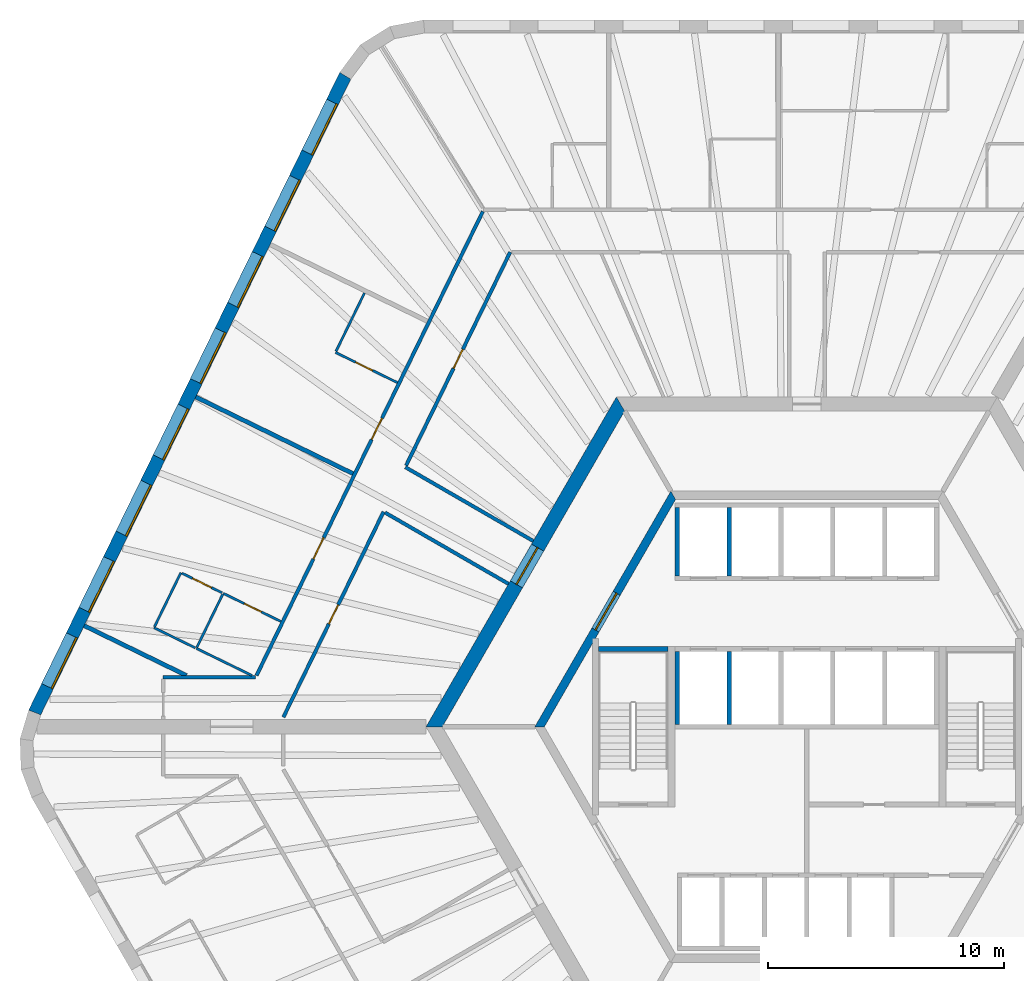
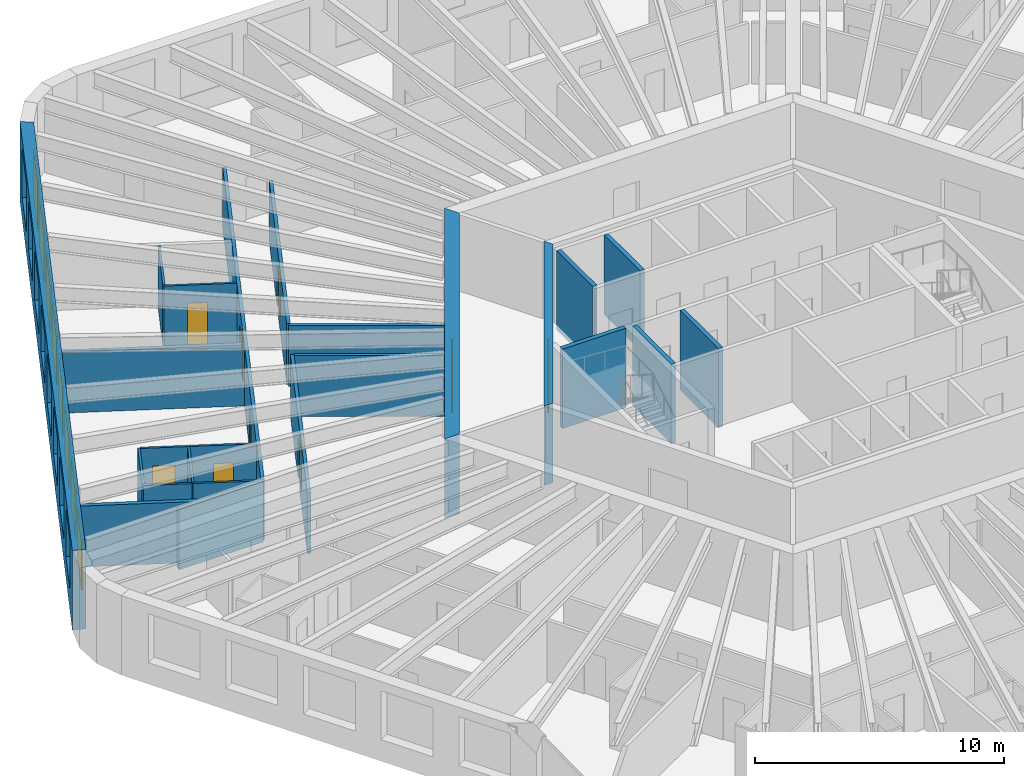
# One storey, part 7 of 12: 24 walls, 9 doors, 8 windows, 17 openings.
"""IFC4 building model written with IfcOpenShell, lengths in metres."""

from ifc_helpers import new_model, si_unit, direction, frame, frame_2d, origin, place, context, subcontext, project, spatial, polyline, rectangle, outline, extrude, material, layer, layer_set, type_object, element, fill, save


model = new_model("IFC4")

# Units and contexts
model_context = context("Model", 3, precision=1e-05, world=origin(), true_north=direction((0.0, 1.0)))
body_context = subcontext(model_context, "Body", "Model", "MODEL_VIEW")
ifc_project = project(units=[si_unit("LENGTHUNIT", "METRE"), si_unit("AREAUNIT", "SQUARE_METRE"), si_unit("VOLUMEUNIT", "CUBIC_METRE"), si_unit("PLANEANGLEUNIT", "RADIAN"), si_unit("MASSUNIT", "GRAM", prefix="KILO")], contexts=[model_context])

# Site, building, storey
site_placement = place(None, origin())
site = spatial("IfcSite", under=ifc_project, at=site_placement, CompositionType="ELEMENT")
building_placement = place(site_placement, origin())
building = spatial("IfcBuilding", under=site, at=building_placement, Name="Tarnside Tower", CompositionType="ELEMENT")
storey_placement = place(building_placement, frame((0.0, 0.0, 131.10009765625)))
storey = spatial("IfcBuildingStorey", under=building, at=storey_placement, Name="L30", CompositionType="ELEMENT", Elevation=131.10009765625)

# Wall, opening, door
ifc_material_1 = material(Name="Gypsum board partition on steel studs", Category="steel")
ifc_layer_1 = layer(ifc_material_1, 0.10009765625)
ifc_layer_set_1 = layer_set([ifc_layer_1], Name="Bathroom wall 100")
wall_type_1 = type_object("IfcWallType", Name="Bathroom wall 100", PredefinedType="PARTITIONING", material=ifc_layer_set_1)
wall_1_placement = place(storey_placement, frame((-17.380126953125, 14.6083984375, 0.0), z_axis=(0.0, 0.0, 1.0), x_axis=(-0.898790906006, 0.438377585285, 0.0)))
wall_1 = element("IfcWall", 1, at=wall_1_placement, inside=storey, type_object=wall_type_1, Name="Bathroom wall 09098", PredefinedType="PARTITIONING", context=body_context, shape_type="SweptSolid", body=[
    extrude(rectangle(XDim=2.925048828125, YDim=0.10009765625, at=frame_2d((1.46240234375, 0.0))), origin(), (0.0, 0.0, 1.0), 2.98779296875),
])
opening_1_placement = place(wall_1_placement, frame((1.175048828125, 0.0, 0.0)))
opening_1 = element("IfcOpeningElement", 2, at=opening_1_placement, cuts=wall_1, Name="Opening D-B1", PredefinedType="OPENING", context=body_context, shape_type="SweptSolid", body=[
    extrude(rectangle(XDim=0.800048828125, YDim=2.10009765625, at=frame_2d((0.39990234375, 1.050048828125))), frame((0.0, 0.06005859375, 0.0), z_axis=(0.0, -1.0, 0.0), x_axis=(1.0, 0.0, 0.0)), (0.0, 0.0, 1.0), 0.1201171875),
])
ifc_material_2 = material(Name="Timber door leaf", Category="wood")
door_type_1 = type_object("IfcDoorType", Name="Bathroom door 800", OperationType="NOTDEFINED", PredefinedType="DOOR", material=ifc_material_2)
door_1_placement = place(opening_1_placement, origin())
door_1 = element("IfcDoor", 3, at=door_1_placement, inside=storey, type_object=door_type_1, Name="Bathroom door 09010", OperationType="SINGLE_SWING_LEFT", OverallHeight=2.10009765625, OverallWidth=0.800048828125, PredefinedType="DOOR", context=body_context, shape_type="SweptSolid", body=[
    extrude(rectangle(XDim=0.800048828125, YDim=2.10009765625, at=frame_2d((0.39990234375, 1.050048828125))), frame((0.0, 0.02490234375, 0.0), z_axis=(0.0, -1.0, 0.0), x_axis=(1.0, 0.0, 0.0)), (0.0, 0.0, 1.0), 0.050048828125),
])
fill(opening_1, door_1)

# Walls
wall_2_placement = place(storey_placement, frame((-19.987060546875, 15.935546875, 0.0), z_axis=(0.0, 0.0, 1.0), x_axis=(0.438381805748, 0.898788847499, 0.0)))
element("IfcWall", 4, at=wall_2_placement, inside=storey, type_object=wall_type_1, Name="Bathroom wall 09099", PredefinedType="PARTITIONING", context=body_context, shape_type="SweptSolid", body=[
    extrude(rectangle(XDim=2.760009765625, YDim=0.10009765625, at=frame_2d((1.3798828125, 0.0))), origin(), (0.0, 0.0, 1.0), 2.98779296875),
])
wall_3_placement = place(storey_placement, frame((-23.551025390625, 2.175048828125, 0.0), z_axis=(0.0, 0.0, 1.0), x_axis=(-0.898821988063, 0.438313853049, 0.0)))
element("IfcWall", 5, at=wall_3_placement, inside=storey, type_object=wall_type_1, Name="Bathroom wall 09101", PredefinedType="PARTITIONING", context=body_context, shape_type="SweptSolid", body=[
    extrude(rectangle(XDim=2.629150390625, YDim=0.10009765625, at=frame_2d((1.314453125, 0.0))), origin(), (0.0, 0.0, 1.0), 2.98779296875),
])

# Wall, opening, door
wall_4_placement = place(storey_placement, frame((-24.774169921875, 5.664306640625, 0.0), z_axis=(0.0, 0.0, 1.0), x_axis=(0.898791692788, -0.43837597217, 0.0)))
wall_4 = element("IfcWall", 6, at=wall_4_placement, inside=storey, type_object=wall_type_1, Name="Bathroom wall 09102", PredefinedType="PARTITIONING", context=body_context, shape_type="SweptSolid", body=[
    extrude(rectangle(XDim=2.72509765625, YDim=0.10009765625, at=frame_2d((1.362548828125, 0.0))), origin(), (0.0, 0.0, 1.0), 2.98779296875),
])
opening_2_placement = place(wall_4_placement, frame((1.0, 0.0, 0.0)))
opening_2 = element("IfcOpeningElement", 7, at=opening_2_placement, cuts=wall_4, Name="Opening D-B1", PredefinedType="OPENING", context=body_context, shape_type="SweptSolid", body=[
    extrude(rectangle(XDim=0.800048828125, YDim=2.10009765625, at=frame_2d((0.39990234375, 1.050048828125))), frame((0.0, 0.06005859375, 0.0), z_axis=(0.0, -1.0, 0.0), x_axis=(1.0, 0.0, 0.0)), (0.0, 0.0, 1.0), 0.1201171875),
])
door_2_placement = place(opening_2_placement, origin())
door_2 = element("IfcDoor", 8, at=door_2_placement, inside=storey, type_object=door_type_1, Name="Bathroom door 09012", OperationType="SINGLE_SWING_LEFT", OverallHeight=2.10009765625, OverallWidth=0.800048828125, PredefinedType="DOOR", context=body_context, shape_type="SweptSolid", body=[
    extrude(rectangle(XDim=0.800048828125, YDim=2.10009765625, at=frame_2d((0.39990234375, 1.050048828125))), frame((0.0, 0.02490234375, 0.0), z_axis=(0.0, -1.0, 0.0), x_axis=(1.0, 0.0, 0.0)), (0.0, 0.0, 1.0), 0.050048828125),
])
fill(opening_2, door_2)

# Wall
wall_5_placement = place(storey_placement, frame((-24.796142578125, 5.619384765625, 0.0), z_axis=(0.0, 0.0, 1.0), x_axis=(-0.438363988158, -0.898797537761, 0.0)))
element("IfcWall", 9, at=wall_5_placement, inside=storey, type_object=wall_type_1, Name="Bathroom wall 09107", PredefinedType="PARTITIONING", context=body_context, shape_type="SweptSolid", body=[
    extrude(rectangle(XDim=2.5, YDim=0.10009765625, at=frame_2d((1.25, 0.0))), origin(), (0.0, 0.0, 1.0), 2.98779296875),
])

# Wall, opening, door
ifc_material_3 = material(Name="Concrete C50/60", Category="concrete")
ifc_layer_2 = layer(ifc_material_3, 0.35009765625)
ifc_layer_set_2 = layer_set([ifc_layer_2], Name="Core block wall 350 C50/60")
wall_type_2 = type_object("IfcWallType", Name="Core block wall 350 C50/60", PredefinedType="SHEAR", material=ifc_layer_set_2)
wall_6_placement = place(storey_placement, frame((-5.672607421875, 9.824951171875, -0.150146484375), z_axis=(0.0, 0.0, 1.0), x_axis=(-0.499995046907, -0.866028263435, 0.0)))
wall_6 = element("IfcWall", 10, at=wall_6_placement, inside=storey, type_object=wall_type_2, Name="L30 core block wall face 2", PredefinedType="SHEAR", context=body_context, shape_type="SweptSolid", body=[
    extrude(outline(polyline([(-0.10107421875, -0.175048828125), (11.44580078125, -0.175048828125), (11.24365234375, 0.175048828125), (0.10107421875, 0.175048828125), (-0.10107421875, -0.175048828125)])), origin(), (0.0, 0.0, 1.0), 3.900146484375),
])
opening_3_placement = place(wall_6_placement, frame((4.80126953125, 0.0, 0.14990234375)))
opening_3 = element("IfcOpeningElement", 11, at=opening_3_placement, cuts=wall_6, Name="Opening CD-LOB", PredefinedType="OPENING", context=body_context, shape_type="SweptSolid", body=[
    extrude(rectangle(XDim=1.800048828125, YDim=2.39990234375, at=frame_2d((0.89990234375, 1.199951171875))), frame((0.0, 0.18505859375, 0.0), z_axis=(0.0, -1.0, 0.0), x_axis=(1.0, 0.0, 0.0)), (0.0, 0.0, 1.0), 0.3701171875),
])
ifc_material_4 = material(Name="Steel fire door", Category="steel")
door_type_2 = type_object("IfcDoorType", Name="Lobby double door FD30S 1800x2400", OperationType="NOTDEFINED", PredefinedType="DOOR", material=ifc_material_4)
door_3_placement = place(opening_3_placement, origin())
door_3 = element("IfcDoor", 12, at=door_3_placement, inside=storey, type_object=door_type_2, Name="L30 lobby block door P1", OperationType="DOUBLE_DOOR_SINGLE_SWING", OverallHeight=2.39990234375, OverallWidth=1.800048828125, PredefinedType="DOOR", context=body_context, shape_type="SweptSolid", body=[
    extrude(rectangle(XDim=1.800048828125, YDim=2.39990234375, at=frame_2d((0.89990234375, 1.199951171875))), frame((0.0, 0.02490234375, 0.0), z_axis=(0.0, -1.0, 0.0), x_axis=(1.0, 0.0, 0.0)), (0.0, 0.0, 1.0), 0.050048828125),
])
fill(opening_3, door_3)

ifc_material_5 = material(Name="Concrete C80/95", Category="concrete")
ifc_layer_3 = layer(ifc_material_5, 0.60009765625)
ifc_layer_set_3 = layer_set([ifc_layer_3], Name="Core wall Z1 600 C80/95")
wall_type_3 = type_object("IfcWallType", Name="Core wall Z1 600 C80/95", PredefinedType="SHEAR", material=ifc_layer_set_3)
wall_7_placement = place(storey_placement, frame((-7.90966796875, 13.699951171875, -0.150146484375), z_axis=(0.0, 0.0, 1.0), x_axis=(-0.499999880136, -0.866025472988, 0.0)))
wall_7 = element("IfcWall", 13, at=wall_7_placement, inside=storey, type_object=wall_type_3, Name="L30 core wall face 2", PredefinedType="SHEAR", context=body_context, shape_type="SweptSolid", body=[
    extrude(outline(polyline([(-0.17333984375, -0.300048828125), (15.99267578125, -0.300048828125), (15.64599609375, 0.300048828125), (0.17333984375, 0.300048828125), (-0.17333984375, -0.300048828125)])), origin(), (0.0, 0.0, 1.0), 3.900146484375),
])
opening_4_placement = place(wall_7_placement, frame((7.03857421875, 0.0, 0.14990234375)))
opening_4 = element("IfcOpeningElement", 14, at=opening_4_placement, cuts=wall_7, Name="Opening CD-LOB", PredefinedType="OPENING", context=body_context, shape_type="SweptSolid", body=[
    extrude(rectangle(XDim=1.800048828125, YDim=2.39990234375, at=frame_2d((0.89990234375, 1.199951171875))), frame((0.0, 0.31005859375, 0.0), z_axis=(0.0, -1.0, 0.0), x_axis=(1.0, 0.0, 0.0)), (0.0, 0.0, 1.0), 0.6201171875),
])
door_4_placement = place(opening_4_placement, origin())
door_4 = element("IfcDoor", 15, at=door_4_placement, inside=storey, type_object=door_type_2, Name="L30 core door P1", OperationType="DOUBLE_DOOR_SINGLE_SWING", OverallHeight=2.39990234375, OverallWidth=1.800048828125, PredefinedType="DOOR", context=body_context, shape_type="SweptSolid", body=[
    extrude(rectangle(XDim=1.800048828125, YDim=2.39990234375, at=frame_2d((0.89990234375, 1.199951171875))), frame((0.0, 0.02490234375, 0.0), z_axis=(0.0, -1.0, 0.0), x_axis=(1.0, 0.0, 0.0)), (0.0, 0.0, 1.0), 0.050048828125),
])
fill(opening_4, door_4)

# Wall, openings, doors
ifc_layer_4 = layer(ifc_material_1, 0.14990234375)
ifc_layer_set_4 = layer_set([ifc_layer_4], Name="Corridor wall 150 EI 60")
wall_type_4 = type_object("IfcWallType", Name="Corridor wall 150 EI 60", PredefinedType="PARTITIONING", material=ifc_layer_set_4)
wall_8_placement = place(storey_placement, frame((-13.75244140625, 21.875, 0.0), z_axis=(0.0, 0.0, 1.0), x_axis=(-0.438374473378, -0.898792423806, 0.0)))
wall_8 = element("IfcWall", 16, at=wall_8_placement, inside=storey, type_object=wall_type_4, Name="Corridor wall 09009", PredefinedType="PARTITIONING", context=body_context, shape_type="SweptSolid", body=[
    extrude(rectangle(XDim=21.918212890625, YDim=0.14990234375, at=frame_2d((10.958984375, 0.0))), origin(), (0.0, 0.0, 1.0), 2.98779296875),
])
opening_5_placement = place(wall_8_placement, frame((9.771240234375, 0.0, 0.0)))
opening_5 = element("IfcOpeningElement", 17, at=opening_5_placement, cuts=wall_8, Name="Opening D-E1", PredefinedType="OPENING", context=body_context, shape_type="SweptSolid", body=[
    extrude(rectangle(XDim=1.0, YDim=2.10009765625, at=frame_2d((0.5, 1.050048828125))), frame((0.0, 0.0849609375, 0.0), z_axis=(0.0, -1.0, 0.0), x_axis=(1.0, 0.0, 0.0)), (0.0, 0.0, 1.0), 0.169921875),
])
opening_6_placement = place(wall_8_placement, frame((15.41162109375, 0.0, 0.0)))
opening_6 = element("IfcOpeningElement", 18, at=opening_6_placement, cuts=wall_8, Name="Opening D-E1", PredefinedType="OPENING", context=body_context, shape_type="SweptSolid", body=[
    extrude(rectangle(XDim=1.0, YDim=2.10009765625, at=frame_2d((0.5, 1.050048828125))), frame((0.0, 0.0849609375, 0.0), z_axis=(0.0, -1.0, 0.0), x_axis=(1.0, 0.0, 0.0)), (0.0, 0.0, 1.0), 0.169921875),
])
door_type_3 = type_object("IfcDoorType", Name="Unit entrance door 1000 FD30S", OperationType="NOTDEFINED", PredefinedType="DOOR", material=ifc_material_2)
door_5_placement = place(opening_5_placement, origin())
door_5 = element("IfcDoor", 19, at=door_5_placement, inside=storey, type_object=door_type_3, Name="Unit door 09009", OperationType="SINGLE_SWING_RIGHT", OverallHeight=2.10009765625, OverallWidth=1.0, PredefinedType="DOOR", context=body_context, shape_type="SweptSolid", body=[
    extrude(rectangle(XDim=1.0, YDim=2.10009765625, at=frame_2d((0.5, 1.050048828125))), frame((0.0, 0.02490234375, 0.0), z_axis=(0.0, -1.0, 0.0), x_axis=(1.0, 0.0, 0.0)), (0.0, 0.0, 1.0), 0.050048828125),
])
fill(opening_5, door_5)
door_6_placement = place(opening_6_placement, origin())
door_6 = element("IfcDoor", 20, at=door_6_placement, inside=storey, type_object=door_type_3, Name="Unit door 09011", OperationType="SINGLE_SWING_LEFT", OverallHeight=2.10009765625, OverallWidth=1.0, PredefinedType="DOOR", context=body_context, shape_type="SweptSolid", body=[
    extrude(rectangle(XDim=1.0, YDim=2.10009765625, at=frame_2d((0.5, 1.050048828125))), frame((0.0, 0.02490234375, 0.0), z_axis=(0.0, -1.0, 0.0), x_axis=(1.0, 0.0, 0.0)), (0.0, 0.0, 1.0), 0.050048828125),
])
fill(opening_6, door_6)

# Walls
wall_9_placement = place(storey_placement, frame((-23.3974609375, 2.10009765625, 0.0), z_axis=(0.0, 0.0, 1.0), x_axis=(-1.0, 0.0, 0.0)))
element("IfcWall", 21, at=wall_9_placement, inside=storey, type_object=wall_type_4, Name="Corridor wall 09012", PredefinedType="PARTITIONING", context=body_context, shape_type="SweptSolid", body=[
    extrude(rectangle(XDim=3.9228515625, YDim=0.14990234375, at=frame_2d((1.96142578125, 0.0))), origin(), (0.0, 0.0, 1.0), 2.98779296875),
])
wall_10_placement = place(storey_placement, frame((-11.61376953125, 7.88427734375, 0.0), z_axis=(0.0, 0.0, 1.0), x_axis=(-0.866025438137, 0.4999999405, 0.0)))
element("IfcWall", 22, at=wall_10_placement, inside=storey, type_object=wall_type_4, Name="Corridor wall 09019", PredefinedType="PARTITIONING", context=body_context, shape_type="SweptSolid", body=[
    extrude(rectangle(XDim=6.2705078125, YDim=0.14990234375, at=frame_2d((3.13525390625, 0.0))), origin(), (0.0, 0.0, 1.0), 2.98779296875),
])

# Wall, opening, door
wall_11_placement = place(storey_placement, frame((-17.01123046875, 11.087158203125, 0.0), z_axis=(0.0, 0.0, 1.0), x_axis=(0.43836877185, 0.898795204631, 0.0)))
wall_11 = element("IfcWall", 23, at=wall_11_placement, inside=storey, type_object=wall_type_4, Name="Corridor wall 09020", PredefinedType="PARTITIONING", context=body_context, shape_type="SweptSolid", body=[
    extrude(rectangle(XDim=10.083251953125, YDim=0.14990234375, at=frame_2d((5.04150390625, 0.0))), origin(), (0.0, 0.0, 1.0), 2.98779296875),
])
opening_7_placement = place(wall_11_placement, frame((4.591552734375, 0.0, 0.0)))
opening_7 = element("IfcOpeningElement", 24, at=opening_7_placement, cuts=wall_11, Name="Opening D-S1", PredefinedType="OPENING", context=body_context, shape_type="SweptSolid", body=[
    extrude(rectangle(XDim=0.89990234375, YDim=2.10009765625, at=frame_2d((0.449951171875, 1.050048828125))), frame((0.0, 0.0849609375, 0.0), z_axis=(0.0, -1.0, 0.0), x_axis=(1.0, 0.0, 0.0)), (0.0, 0.0, 1.0), 0.169921875),
])
door_type_4 = type_object("IfcDoorType", Name="Service room door 900 FD30S", OperationType="NOTDEFINED", PredefinedType="DOOR", material=ifc_material_2)
door_7_placement = place(opening_7_placement, origin())
door_7 = element("IfcDoor", 25, at=door_7_placement, inside=storey, type_object=door_type_4, Name="Service door 09046", OperationType="SINGLE_SWING_LEFT", OverallHeight=2.10009765625, OverallWidth=0.89990234375, PredefinedType="DOOR", context=body_context, shape_type="SweptSolid", body=[
    extrude(rectangle(XDim=0.89990234375, YDim=2.10009765625, at=frame_2d((0.449951171875, 1.050048828125))), frame((0.0, 0.02490234375, 0.0), z_axis=(0.0, -1.0, 0.0), x_axis=(1.0, 0.0, 0.0)), (0.0, 0.0, 1.0), 0.050048828125),
])
fill(opening_7, door_7)

wall_12_placement = place(storey_placement, frame((-22.218994140625, 0.41015625, 0.0), z_axis=(0.0, 0.0, 1.0), x_axis=(0.438391891827, 0.898783927972, 0.0)))
wall_12 = element("IfcWall", 26, at=wall_12_placement, inside=storey, type_object=wall_type_4, Name="Corridor wall 09025", PredefinedType="PARTITIONING", context=body_context, shape_type="SweptSolid", body=[
    extrude(rectangle(XDim=9.698974609375, YDim=0.14990234375, at=frame_2d((4.849609375, 0.0))), origin(), (0.0, 0.0, 1.0), 2.98779296875),
])
opening_8_placement = place(wall_12_placement, frame((4.399658203125, 0.0, 0.0)))
opening_8 = element("IfcOpeningElement", 27, at=opening_8_placement, cuts=wall_12, Name="Opening D-S1", PredefinedType="OPENING", context=body_context, shape_type="SweptSolid", body=[
    extrude(rectangle(XDim=0.89990234375, YDim=2.10009765625, at=frame_2d((0.449951171875, 1.050048828125))), frame((0.0, 0.0849609375, 0.0), z_axis=(0.0, -1.0, 0.0), x_axis=(1.0, 0.0, 0.0)), (0.0, 0.0, 1.0), 0.169921875),
])
door_8_placement = place(opening_8_placement, origin())
door_8 = element("IfcDoor", 28, at=door_8_placement, inside=storey, type_object=door_type_4, Name="Service door 09048", OperationType="SINGLE_SWING_LEFT", OverallHeight=2.10009765625, OverallWidth=0.89990234375, PredefinedType="DOOR", context=body_context, shape_type="SweptSolid", body=[
    extrude(rectangle(XDim=0.89990234375, YDim=2.10009765625, at=frame_2d((0.449951171875, 1.050048828125))), frame((0.0, 0.02490234375, 0.0), z_axis=(0.0, -1.0, 0.0), x_axis=(1.0, 0.0, 0.0)), (0.0, 0.0, 1.0), 0.050048828125),
])
fill(opening_8, door_8)

# Walls
wall_13_placement = place(storey_placement, frame((-17.902099609375, 9.08984375, 0.0), z_axis=(0.0, 0.0, 1.0), x_axis=(0.866036368755, -0.499981007633, 0.0)))
element("IfcWall", 29, at=wall_13_placement, inside=storey, type_object=wall_type_4, Name="Corridor wall 09026", PredefinedType="PARTITIONING", context=body_context, shape_type="SweptSolid", body=[
    extrude(rectangle(XDim=6.048583984375, YDim=0.14990234375, at=frame_2d((3.0244140625, 0.0))), origin(), (0.0, 0.0, 1.0), 2.98779296875),
])
ifc_layer_5 = layer(ifc_material_1, 0.179931640625)
ifc_layer_set_5 = layer_set([ifc_layer_5], Name="Demising wall 180 EI 60")
wall_type_5 = type_object("IfcWallType", Name="Demising wall 180 EI 60", PredefinedType="PARTITIONING", material=ifc_layer_set_5)
wall_14_placement = place(storey_placement, frame((-25.9384765625, 13.99853515625, 0.0), z_axis=(0.0, 0.0, 1.0), x_axis=(0.898789933843, -0.438379578473, 0.0)))
element("IfcWall", 30, at=wall_14_placement, inside=storey, type_object=wall_type_5, Name="Demising wall 09100", PredefinedType="PARTITIONING", context=body_context, shape_type="SweptSolid", body=[
    extrude(rectangle(XDim=7.4248046875, YDim=0.179931640625, at=frame_2d((3.71240234375, 0.0))), origin(), (0.0, 0.0, 1.0), 2.98779296875),
])
wall_15_placement = place(storey_placement, frame((-30.673095703125, 4.29150390625, 0.0), z_axis=(0.0, 0.0, 1.0), x_axis=(0.898812662672, -0.438332975512, 0.0)))
element("IfcWall", 31, at=wall_15_placement, inside=storey, type_object=wall_type_5, Name="Demising wall 09106", PredefinedType="PARTITIONING", context=body_context, shape_type="SweptSolid", body=[
    extrude(rectangle(XDim=4.828369140625, YDim=0.179931640625, at=frame_2d((2.4140625, 0.0))), origin(), (0.0, 0.0, 1.0), 2.98779296875),
])
ifc_material_6 = material(Name="Concrete C40/50", Category="concrete")
ifc_layer_6 = layer(ifc_material_6, 0.199951171875)
ifc_layer_set_6 = layer_set([ifc_layer_6], Name="Lift shaft wall 200 C40/50")
wall_type_6 = type_object("IfcWallType", Name="Lift shaft wall 200 C40/50", PredefinedType="SHEAR", material=ifc_layer_set_6)
for number, where, z_axis, x_axis, name in (
    (32, (-5.5, 6.39990234375, -0.25), (0.0, 0.0, 1.0), (0.0, 1.0, 0.0), "L30 lift shaft partition R11"),
    (33, (-3.300048828125, 6.39990234375, -0.25), (0.0, 0.0, 1.0), (0.0, 1.0, 0.0), "L30 lift shaft partition R12"),
):
    element("IfcWall", number, at=place(storey_placement, frame(where, z_axis=z_axis, x_axis=x_axis)), inside=storey, type_object=wall_type_6, Name=name, PredefinedType="SHEAR", context=body_context, shape_type="SweptSolid", body=[
        extrude(rectangle(XDim=2.900146484375, YDim=0.199951171875, at=frame_2d((1.4501953125, 0.0))), origin(), (0.0, 0.0, 1.0), 3.89990234375),
    ])
for number, where, z_axis, x_axis, name in (
    (34, (-5.5, 0.10009765625, -0.25), (0.0, 0.0, 1.0), (0.0, 1.0, 0.0), "L30 lift shaft partition R21"),
    (35, (-3.300048828125, 0.10009765625, -0.25), (0.0, 0.0, 1.0), (0.0, 1.0, 0.0), "L30 lift shaft partition R22"),
):
    element("IfcWall", number, at=place(storey_placement, frame(where, z_axis=z_axis, x_axis=x_axis)), inside=storey, type_object=wall_type_6, Name=name, PredefinedType="SHEAR", context=body_context, shape_type="SweptSolid", body=[
        extrude(rectangle(XDim=3.099853515625, YDim=0.199951171875, at=frame_2d((1.5498046875, 0.0))), origin(), (0.0, 0.0, 1.0), 3.89990234375),
    ])
wall_16_placement = place(storey_placement, frame((-8.85009765625, 3.300048828125, -0.25), z_axis=(0.0, 0.0, 1.0), x_axis=(1.0, 0.0, 0.0)))
element("IfcWall", 36, at=wall_16_placement, inside=storey, type_object=wall_type_6, Name="L30 stair 2 enclosure cap wall n", PredefinedType="SHEAR", context=body_context, shape_type="SweptSolid", body=[
    extrude(rectangle(XDim=2.9501953125, YDim=0.199951171875, at=frame_2d((1.47509765625, 0.0))), origin(), (0.0, 0.0, 1.0), 3.89990234375),
])
ifc_layer_7 = layer(ifc_material_1, 0.10009765625)
ifc_layer_set_7 = layer_set([ifc_layer_7], Name="Partition 100")
wall_type_7 = type_object("IfcWallType", Name="Partition 100", PredefinedType="PARTITIONING", material=ifc_layer_set_7)
wall_17_placement = place(storey_placement, frame((-25.958984375, 3.349365234375, 0.0), z_axis=(0.0, 0.0, 1.0), x_axis=(-0.898815368173, 0.438327427772, 0.0)))
element("IfcWall", 37, at=wall_17_placement, inside=storey, type_object=wall_type_7, Name="Partition wall 09103", PredefinedType="PARTITIONING", context=body_context, shape_type="SweptSolid", body=[
    extrude(rectangle(XDim=1.949951171875, YDim=0.10009765625, at=frame_2d((0.97509765625, 0.0))), origin(), (0.0, 0.0, 1.0), 2.98779296875),
])
wall_18_placement = place(storey_placement, frame((-27.689697265625, 4.2490234375, 0.0), z_axis=(0.0, 0.0, 1.0), x_axis=(0.438384020656, 0.898787767181, 0.0)))
element("IfcWall", 38, at=wall_18_placement, inside=storey, type_object=wall_type_7, Name="Partition wall 09104", PredefinedType="PARTITIONING", context=body_context, shape_type="SweptSolid", body=[
    extrude(rectangle(XDim=2.550048828125, YDim=0.10009765625, at=frame_2d((1.27490234375, 0.0))), origin(), (0.0, 0.0, 1.0), 2.98779296875),
])

# Wall, opening, door
wall_19_placement = place(storey_placement, frame((-26.52685546875, 6.51904296875, 0.0), z_axis=(0.0, 0.0, 1.0), x_axis=(0.898828949337, -0.438299577725, 0.0)))
wall_19 = element("IfcWall", 39, at=wall_19_placement, inside=storey, type_object=wall_type_7, Name="Partition wall 09105", PredefinedType="PARTITIONING", context=body_context, shape_type="SweptSolid", body=[
    extrude(rectangle(XDim=1.89990234375, YDim=0.10009765625, at=frame_2d((0.949951171875, 0.0))), origin(), (0.0, 0.0, 1.0), 2.98779296875),
])
opening_9_placement = place(wall_19_placement, frame((0.5, 0.0, 0.0)))
opening_9 = element("IfcOpeningElement", 40, at=opening_9_placement, cuts=wall_19, Name="Opening D-I1", PredefinedType="OPENING", context=body_context, shape_type="SweptSolid", body=[
    extrude(rectangle(XDim=0.89990234375, YDim=2.10009765625, at=frame_2d((0.449951171875, 1.050048828125))), frame((0.0, 0.06005859375, 0.0), z_axis=(0.0, -1.0, 0.0), x_axis=(1.0, 0.0, 0.0)), (0.0, 0.0, 1.0), 0.1201171875),
])
door_type_5 = type_object("IfcDoorType", Name="Internal door 900", OperationType="NOTDEFINED", PredefinedType="DOOR", material=ifc_material_2)
door_9_placement = place(opening_9_placement, origin())
door_9 = element("IfcDoor", 41, at=door_9_placement, inside=storey, type_object=door_type_5, Name="Internal door 09013", OperationType="SINGLE_SWING_RIGHT", OverallHeight=2.10009765625, OverallWidth=0.89990234375, PredefinedType="DOOR", context=body_context, shape_type="SweptSolid", body=[
    extrude(rectangle(XDim=0.89990234375, YDim=2.10009765625, at=frame_2d((0.449951171875, 1.050048828125))), frame((0.0, 0.02490234375, 0.0), z_axis=(0.0, -1.0, 0.0), x_axis=(1.0, 0.0, 0.0)), (0.0, 0.0, 1.0), 0.050048828125),
])
fill(opening_9, door_9)

# Wall, openings, windows
ifc_material_7 = material(Name="Facing brick", Category="masonry")
ifc_layer_8 = layer(ifc_material_7, 0.10205078125)
ifc_material_8 = material(Name="Concrete C60/75 precast", Category="concrete")
ifc_layer_9 = layer(ifc_material_8, 0.347900390625)
ifc_material_9 = material(Name="Mineral wool insulation")
ifc_layer_10 = layer(ifc_material_9, 0.10009765625)
ifc_layer_set_8 = layer_set([ifc_layer_8, ifc_layer_9, ifc_layer_10], Name="Tube wall 550 brick faced")
wall_type_8 = type_object("IfcWallType", Name="Tube wall 550 brick faced", PredefinedType="SOLIDWALL", material=ifc_layer_set_8)
wall_20_placement = place(storey_placement, frame((-19.5947265625, 27.6328125, -0.150146484375), z_axis=(0.0, 0.0, 1.0), x_axis=(-0.438368285794, -0.898795441694, 0.0)))
wall_20 = element("IfcWall", 42, at=wall_20_placement, inside=storey, type_object=wall_type_8, Name="Tube wall L30 F2 flush 04", PredefinedType="SOLIDWALL", context=body_context, shape_type="SweptSolid", body=[
    extrude(outline(polyline([(-0.025634765625, -0.27490234375), (30.09326171875, -0.27490234375), (30.04833984375, 0.27490234375), (0.025634765625, 0.27490234375), (-0.025634765625, -0.27490234375)])), origin(), (0.0, 0.0, 1.0), 3.900146484375),
])
opening_10_placement = place(wall_20_placement, frame((1.235595703125, 0.0, 1.050048828125)))
opening_10 = element("IfcOpeningElement", 43, at=opening_10_placement, cuts=wall_20, Name="Opening WH", PredefinedType="OPENING", context=body_context, shape_type="SweptSolid", body=[
    extrude(rectangle(XDim=2.39990234375, YDim=2.39990234375, at=frame_2d((1.199951171875, 1.199951171875))), frame((0.0, 0.28515625, 0.0), z_axis=(0.0, -1.0, 0.0), x_axis=(1.0, 0.0, 0.0)), (0.0, 0.0, 1.0), 0.570068359375),
])
opening_11_placement = place(wall_20_placement, frame((4.83544921875, 0.0, 1.050048828125)))
opening_11 = element("IfcOpeningElement", 44, at=opening_11_placement, cuts=wall_20, Name="Opening WH", PredefinedType="OPENING", context=body_context, shape_type="SweptSolid", body=[
    extrude(rectangle(XDim=2.39990234375, YDim=2.39990234375, at=frame_2d((1.199951171875, 1.199951171875))), frame((0.0, 0.28515625, 0.0), z_axis=(0.0, -1.0, 0.0), x_axis=(1.0, 0.0, 0.0)), (0.0, 0.0, 1.0), 0.570068359375),
])
opening_12_placement = place(wall_20_placement, frame((8.435546875, 0.0, 1.050048828125)))
opening_12 = element("IfcOpeningElement", 45, at=opening_12_placement, cuts=wall_20, Name="Opening WH", PredefinedType="OPENING", context=body_context, shape_type="SweptSolid", body=[
    extrude(rectangle(XDim=2.39990234375, YDim=2.39990234375, at=frame_2d((1.199951171875, 1.199951171875))), frame((0.0, 0.28515625, 0.0), z_axis=(0.0, -1.0, 0.0), x_axis=(1.0, 0.0, 0.0)), (0.0, 0.0, 1.0), 0.570068359375),
])
opening_13_placement = place(wall_20_placement, frame((12.035400390625, 0.0, 1.050048828125)))
opening_13 = element("IfcOpeningElement", 46, at=opening_13_placement, cuts=wall_20, Name="Opening WH", PredefinedType="OPENING", context=body_context, shape_type="SweptSolid", body=[
    extrude(rectangle(XDim=2.39990234375, YDim=2.39990234375, at=frame_2d((1.199951171875, 1.199951171875))), frame((0.0, 0.28515625, 0.0), z_axis=(0.0, -1.0, 0.0), x_axis=(1.0, 0.0, 0.0)), (0.0, 0.0, 1.0), 0.570068359375),
])
opening_14_placement = place(wall_20_placement, frame((15.635498046875, 0.0, 1.050048828125)))
opening_14 = element("IfcOpeningElement", 47, at=opening_14_placement, cuts=wall_20, Name="Opening WH", PredefinedType="OPENING", context=body_context, shape_type="SweptSolid", body=[
    extrude(rectangle(XDim=2.39990234375, YDim=2.39990234375, at=frame_2d((1.199951171875, 1.199951171875))), frame((0.0, 0.28515625, 0.0), z_axis=(0.0, -1.0, 0.0), x_axis=(1.0, 0.0, 0.0)), (0.0, 0.0, 1.0), 0.570068359375),
])
opening_15_placement = place(wall_20_placement, frame((19.235595703125, 0.0, 1.050048828125)))
opening_15 = element("IfcOpeningElement", 48, at=opening_15_placement, cuts=wall_20, Name="Opening WH", PredefinedType="OPENING", context=body_context, shape_type="SweptSolid", body=[
    extrude(rectangle(XDim=2.39990234375, YDim=2.39990234375, at=frame_2d((1.199951171875, 1.199951171875))), frame((0.0, 0.28515625, 0.0), z_axis=(0.0, -1.0, 0.0), x_axis=(1.0, 0.0, 0.0)), (0.0, 0.0, 1.0), 0.570068359375),
])
opening_16_placement = place(wall_20_placement, frame((22.83544921875, 0.0, 1.050048828125)))
opening_16 = element("IfcOpeningElement", 49, at=opening_16_placement, cuts=wall_20, Name="Opening WH", PredefinedType="OPENING", context=body_context, shape_type="SweptSolid", body=[
    extrude(rectangle(XDim=2.39990234375, YDim=2.39990234375, at=frame_2d((1.199951171875, 1.199951171875))), frame((0.0, 0.28515625, 0.0), z_axis=(0.0, -1.0, 0.0), x_axis=(1.0, 0.0, 0.0)), (0.0, 0.0, 1.0), 0.570068359375),
])
opening_17_placement = place(wall_20_placement, frame((26.435546875, 0.0, 1.050048828125)))
opening_17 = element("IfcOpeningElement", 50, at=opening_17_placement, cuts=wall_20, Name="Opening WH", PredefinedType="OPENING", context=body_context, shape_type="SweptSolid", body=[
    extrude(rectangle(XDim=2.39990234375, YDim=2.39990234375, at=frame_2d((1.199951171875, 1.199951171875))), frame((0.0, 0.28515625, 0.0), z_axis=(0.0, -1.0, 0.0), x_axis=(1.0, 0.0, 0.0)), (0.0, 0.0, 1.0), 0.570068359375),
])
ifc_material_10 = material(Name="Aluminium-framed double glazing", Category="aluminium")
window_type = type_object("IfcWindowType", Name="Hotel window 2400 x 2400", PartitioningType="DOUBLE_PANEL_VERTICAL", PredefinedType="WINDOW", material=ifc_material_10)
window_1_placement = place(opening_10_placement, frame((0.0, 0.205078125, 0.0)))
window_1 = element("IfcWindow", 51, at=window_1_placement, inside=storey, type_object=window_type, Name="E.WN.L30.F2.00", OverallHeight=2.39990234375, OverallWidth=2.39990234375, PartitioningType="DOUBLE_PANEL_VERTICAL", PredefinedType="WINDOW", context=body_context, shape_type="SweptSolid", body=[
    extrude(rectangle(XDim=2.39990234375, YDim=2.39990234375, at=frame_2d((1.199951171875, 1.199951171875))), frame((0.0, 0.030029296875, 0.0), z_axis=(0.0, -1.0, 0.0), x_axis=(1.0, 0.0, 0.0)), (0.0, 0.0, 1.0), 0.06005859375),
])
fill(opening_10, window_1)
window_2_placement = place(opening_11_placement, frame((0.0, 0.205078125, 0.0)))
window_2 = element("IfcWindow", 52, at=window_2_placement, inside=storey, type_object=window_type, Name="E.WN.L30.F2.01", OverallHeight=2.39990234375, OverallWidth=2.39990234375, PartitioningType="DOUBLE_PANEL_VERTICAL", PredefinedType="WINDOW", context=body_context, shape_type="SweptSolid", body=[
    extrude(rectangle(XDim=2.39990234375, YDim=2.39990234375, at=frame_2d((1.199951171875, 1.199951171875))), frame((0.0, 0.030029296875, 0.0), z_axis=(0.0, -1.0, 0.0), x_axis=(1.0, 0.0, 0.0)), (0.0, 0.0, 1.0), 0.06005859375),
])
fill(opening_11, window_2)
window_3_placement = place(opening_12_placement, frame((0.0, 0.205078125, 0.0)))
window_3 = element("IfcWindow", 53, at=window_3_placement, inside=storey, type_object=window_type, Name="E.WN.L30.F2.02", OverallHeight=2.39990234375, OverallWidth=2.39990234375, PartitioningType="DOUBLE_PANEL_VERTICAL", PredefinedType="WINDOW", context=body_context, shape_type="SweptSolid", body=[
    extrude(rectangle(XDim=2.39990234375, YDim=2.39990234375, at=frame_2d((1.199951171875, 1.199951171875))), frame((0.0, 0.030029296875, 0.0), z_axis=(0.0, -1.0, 0.0), x_axis=(1.0, 0.0, 0.0)), (0.0, 0.0, 1.0), 0.06005859375),
])
fill(opening_12, window_3)
window_4_placement = place(opening_13_placement, frame((0.0, 0.205078125, 0.0)))
window_4 = element("IfcWindow", 54, at=window_4_placement, inside=storey, type_object=window_type, Name="E.WN.L30.F2.03", OverallHeight=2.39990234375, OverallWidth=2.39990234375, PartitioningType="DOUBLE_PANEL_VERTICAL", PredefinedType="WINDOW", context=body_context, shape_type="SweptSolid", body=[
    extrude(rectangle(XDim=2.39990234375, YDim=2.39990234375, at=frame_2d((1.199951171875, 1.199951171875))), frame((0.0, 0.030029296875, 0.0), z_axis=(0.0, -1.0, 0.0), x_axis=(1.0, 0.0, 0.0)), (0.0, 0.0, 1.0), 0.06005859375),
])
fill(opening_13, window_4)
window_5_placement = place(opening_14_placement, frame((0.0, 0.205078125, 0.0)))
window_5 = element("IfcWindow", 55, at=window_5_placement, inside=storey, type_object=window_type, Name="E.WN.L30.F2.04", OverallHeight=2.39990234375, OverallWidth=2.39990234375, PartitioningType="DOUBLE_PANEL_VERTICAL", PredefinedType="WINDOW", context=body_context, shape_type="SweptSolid", body=[
    extrude(rectangle(XDim=2.39990234375, YDim=2.39990234375, at=frame_2d((1.199951171875, 1.199951171875))), frame((0.0, 0.030029296875, 0.0), z_axis=(0.0, -1.0, 0.0), x_axis=(1.0, 0.0, 0.0)), (0.0, 0.0, 1.0), 0.06005859375),
])
fill(opening_14, window_5)
window_6_placement = place(opening_15_placement, frame((0.0, 0.205078125, 0.0)))
window_6 = element("IfcWindow", 56, at=window_6_placement, inside=storey, type_object=window_type, Name="E.WN.L30.F2.05", OverallHeight=2.39990234375, OverallWidth=2.39990234375, PartitioningType="DOUBLE_PANEL_VERTICAL", PredefinedType="WINDOW", context=body_context, shape_type="SweptSolid", body=[
    extrude(rectangle(XDim=2.39990234375, YDim=2.39990234375, at=frame_2d((1.199951171875, 1.199951171875))), frame((0.0, 0.030029296875, 0.0), z_axis=(0.0, -1.0, 0.0), x_axis=(1.0, 0.0, 0.0)), (0.0, 0.0, 1.0), 0.06005859375),
])
fill(opening_15, window_6)
window_7_placement = place(opening_16_placement, frame((0.0, 0.205078125, 0.0)))
window_7 = element("IfcWindow", 57, at=window_7_placement, inside=storey, type_object=window_type, Name="E.WN.L30.F2.06", OverallHeight=2.39990234375, OverallWidth=2.39990234375, PartitioningType="DOUBLE_PANEL_VERTICAL", PredefinedType="WINDOW", context=body_context, shape_type="SweptSolid", body=[
    extrude(rectangle(XDim=2.39990234375, YDim=2.39990234375, at=frame_2d((1.199951171875, 1.199951171875))), frame((0.0, 0.030029296875, 0.0), z_axis=(0.0, -1.0, 0.0), x_axis=(1.0, 0.0, 0.0)), (0.0, 0.0, 1.0), 0.06005859375),
])
fill(opening_16, window_7)
window_8_placement = place(opening_17_placement, frame((0.0, 0.205078125, 0.0)))
window_8 = element("IfcWindow", 58, at=window_8_placement, inside=storey, type_object=window_type, Name="E.WN.L30.F2.07", OverallHeight=2.39990234375, OverallWidth=2.39990234375, PartitioningType="DOUBLE_PANEL_VERTICAL", PredefinedType="WINDOW", context=body_context, shape_type="SweptSolid", body=[
    extrude(rectangle(XDim=2.39990234375, YDim=2.39990234375, at=frame_2d((1.199951171875, 1.199951171875))), frame((0.0, 0.030029296875, 0.0), z_axis=(0.0, -1.0, 0.0), x_axis=(1.0, 0.0, 0.0)), (0.0, 0.0, 1.0), 0.06005859375),
])
fill(opening_17, window_8)

save(model, "model.ifc")
